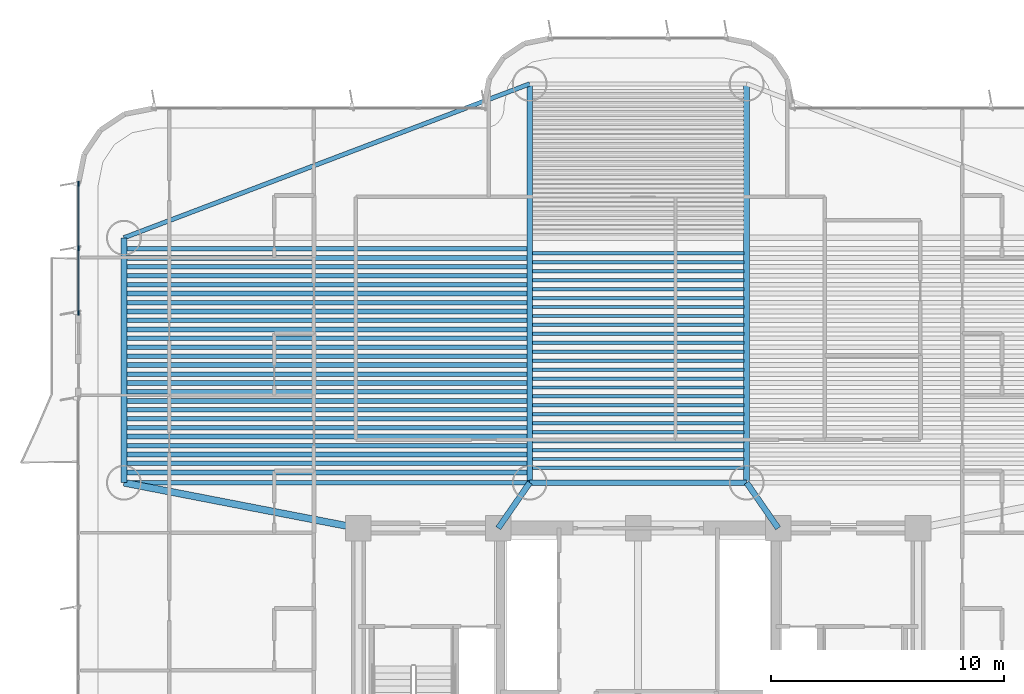
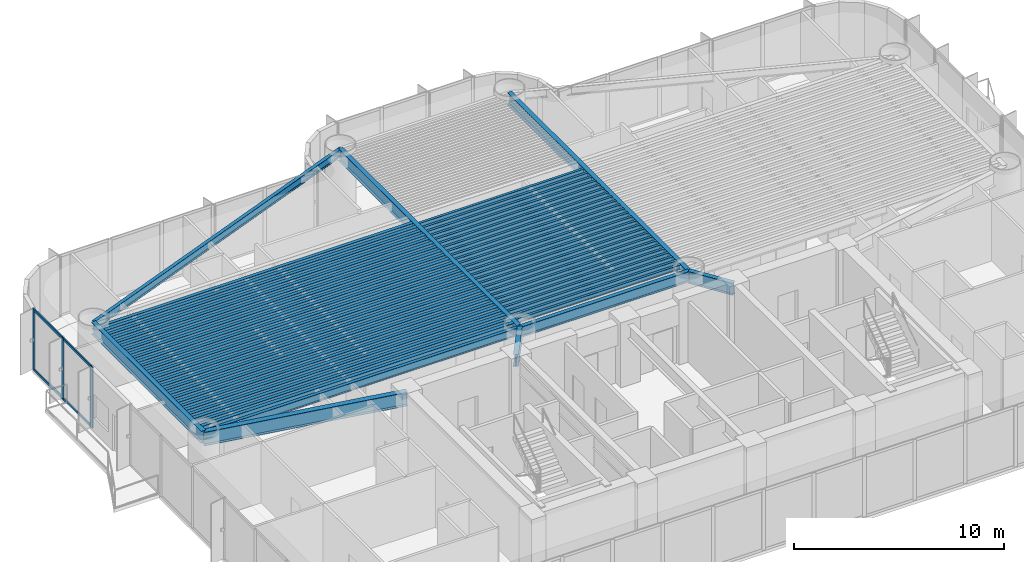
# One storey, part 3 of 18: 60 beams, 7 members, 1 element without a shape of its own.
"""IFC4 building model written with IfcOpenShell, lengths in metres."""

import ifcopenshell
import ifcopenshell.guid

model = None  # the IFC model being written
_history = None  # IfcOwnerHistory: only IFC2X3 demands one
_inside = {}  # id of a spatial element -> (the spatial element, [elements in it])
_under = {}  # id of a project, library or spatial element -> (it, [spatial elements below it])
_declared = {}  # id of a project -> (the project, [libraries it declares])
_typed = {}  # id of a type object -> (the type object, [elements of that type])
_made_of = {}  # id of a material, layer set ... -> (it, [elements and type objects made of it])


def new_model(schema):
    """Start an empty IFC model of exactly this schema.

    Asked for "IFC4X3", IfcOpenShell would pick the latest addendum, in which some entities
    have other attributes; the version numbers below select the first issue.
    IFC2X3 requires an IfcOwnerHistory on every rooted entity: one is made here for all.
    """
    global model, _history
    if schema == "IFC4X3":
        model = ifcopenshell.file(schema_version=(4, 3, 0, 0))
    else:
        model = ifcopenshell.file(schema=schema)
    _inside.clear()
    _under.clear()
    _declared.clear()
    _typed.clear()
    _made_of.clear()
    _history = None
    if model.schema == "IFC2X3":
        org = make("IfcOrganization", Name="unknown")
        user = make(
            "IfcPersonAndOrganization",
            ThePerson=make("IfcPerson", FamilyName="unknown"),
            TheOrganization=org,
        )
        app = make(
            "IfcApplication",
            ApplicationDeveloper=org,
            Version="unknown",
            ApplicationFullName="unknown",
            ApplicationIdentifier="unknown",
        )
        _history = make(
            "IfcOwnerHistory",
            OwningUser=user,
            OwningApplication=app,
            ChangeAction="ADDED",
            CreationDate=0,
        )
    return model


def make(cls, **values):
    """One entity of the class cls with the attributes given. An attribute that is None is left unset."""
    return model.create_entity(
        cls, **{name: value for name, value in values.items() if value is not None}
    )


def rooted(cls, **values):
    """An entity with a GlobalId (a new one), such as an element, a storey or a relation."""
    return make(cls, GlobalId=ifcopenshell.guid.new(), OwnerHistory=_history, **values)


def si_unit(unit_type, name, prefix=None):
    """IfcSIUnit, for example si_unit("LENGTHUNIT", "METRE", prefix="MILLI")."""
    return make("IfcSIUnit", UnitType=unit_type, Prefix=prefix, Name=name)


def assignment(units):
    """IfcUnitAssignment: the units of a project."""
    return None if units is None else make("IfcUnitAssignment", Units=units)


def point(xyz):
    """IfcCartesianPoint."""
    return None if xyz is None else make("IfcCartesianPoint", Coordinates=xyz)


def direction(xyz):
    """IfcDirection."""
    return None if xyz is None else make("IfcDirection", DirectionRatios=xyz)


def frame(location, z_axis=None, x_axis=None):
    """IfcAxis2Placement3D, a coordinate frame: its origin and axes. An axis left out is left unset."""
    return make(
        "IfcAxis2Placement3D",
        Location=point(location),
        Axis=direction(z_axis),
        RefDirection=direction(x_axis),
    )


def frame_2d(location, x_axis=None):
    """IfcAxis2Placement2D, a coordinate frame in the plane: its origin and x axis."""
    return make(
        "IfcAxis2Placement2D", Location=point(location), RefDirection=direction(x_axis)
    )


def origin():
    """The frame at (0, 0, 0) with its axes left unset."""
    return frame((0.0, 0.0, 0.0))


def origin_2d():
    """The frame at (0, 0) in the plane with its x axis left unset."""
    return frame_2d((0.0, 0.0))


def place(relative_to, where):
    """IfcLocalPlacement: puts the frame where relative to a parent placement (None: the world)."""
    return make(
        "IfcLocalPlacement", PlacementRelTo=relative_to, RelativePlacement=where
    )


def context(
    kind, dimensions, precision=None, world=None, true_north=None, identifier=None
):
    """IfcGeometricRepresentationContext, for example the 3D "Model" context."""
    return make(
        "IfcGeometricRepresentationContext",
        ContextIdentifier=identifier,
        ContextType=kind,
        CoordinateSpaceDimension=dimensions,
        Precision=precision,
        WorldCoordinateSystem=world,
        TrueNorth=true_north,
    )


def subcontext(parent, identifier, kind, view, scale=None):
    """IfcGeometricRepresentationSubContext, for example "Body" below "Model"."""
    return make(
        "IfcGeometricRepresentationSubContext",
        ContextIdentifier=identifier,
        ContextType=kind,
        ParentContext=parent,
        TargetScale=scale,
        TargetView=view,
    )


def project(units=None, contexts=None):
    """IfcProject with its units and contexts."""
    return rooted(
        "IfcProject",
        Name="project",
        RepresentationContexts=contexts,
        UnitsInContext=assignment(units),
    )


def spatial(cls, under=None, at=None, **own):
    """A site, building, storey or space (cls), placed at a placement, below another one or the project."""
    s = rooted(cls, ObjectPlacement=at, **own)
    if under is not None:
        _under.setdefault(under.id(), (under, []))[1].append(s)
    return s


def profile(cls, at=None, kind="AREA", **sizes):
    """A parametric profile (cls). Its sizes go by their IFC names, for example OverallWidth=200.0."""
    return make(cls, ProfileType=kind, Position=at, **sizes)


def rectangle(**sizes):
    """IfcRectangleProfileDef."""
    return profile("IfcRectangleProfileDef", **sizes)


def i_section(**sizes):
    """IfcIShapeProfileDef."""
    return profile("IfcIShapeProfileDef", **sizes)


def extrude(swept, where, along, depth):
    """IfcExtrudedAreaSolid: the profile swept, set in the frame where, extruded along a direction by depth."""
    return make(
        "IfcExtrudedAreaSolid",
        SweptArea=swept,
        Position=where,
        ExtrudedDirection=direction(along),
        Depth=depth,
    )


def shape(context_of_items, identifier, shape_type, items):
    """IfcShapeRepresentation: the items that make up one representation, for example the "Body"."""
    return make(
        "IfcShapeRepresentation",
        ContextOfItems=context_of_items,
        RepresentationIdentifier=identifier,
        RepresentationType=shape_type,
        Items=items,
    )


def source(mapping_origin, context_of_items, identifier, shape_type, items):
    """IfcRepresentationMap: a shape defined once, which mapped items show again and again."""
    return make(
        "IfcRepresentationMap",
        MappingOrigin=mapping_origin,
        MappedRepresentation=shape(context_of_items, identifier, shape_type, items),
    )


def transform(
    local_origin,
    x_axis=None,
    y_axis=None,
    z_axis=None,
    scale=None,
    scale2=None,
    scale3=None,
    uniform=True,
):
    """IfcCartesianTransformationOperator3D, or its non-uniform kind. x_axis, y_axis, z_axis: its Axis1, 2, 3."""
    if uniform:
        return make(
            "IfcCartesianTransformationOperator3D",
            Axis1=direction(x_axis),
            Axis2=direction(y_axis),
            LocalOrigin=point(local_origin),
            Scale=scale,
            Axis3=direction(z_axis),
        )
    return make(
        "IfcCartesianTransformationOperator3DnonUniform",
        Axis1=direction(x_axis),
        Axis2=direction(y_axis),
        LocalOrigin=point(local_origin),
        Scale=scale,
        Axis3=direction(z_axis),
        Scale2=scale2,
        Scale3=scale3,
    )


def mapped(mapping_source, mapping_target):
    """IfcMappedItem: shows the shape of a source again, moved by a transform."""
    return make(
        "IfcMappedItem", MappingSource=mapping_source, MappingTarget=mapping_target
    )


def material(Name=None, Category=None):
    """IfcMaterial."""
    return make("IfcMaterial", Name=Name, Category=Category)


def layer(
    of_material, thickness, ventilated=None, Name=None, Category=None, Priority=None
):
    """IfcMaterialLayer: one layer of a wall or slab, of a material (None: an air gap)."""
    return make(
        "IfcMaterialLayer",
        Material=of_material,
        LayerThickness=thickness,
        IsVentilated=ventilated,
        Name=Name,
        Category=Category,
        Priority=Priority,
    )


def layer_set(layers, Name=None):
    """IfcMaterialLayerSet."""
    return make("IfcMaterialLayerSet", MaterialLayers=layers, LayerSetName=Name)


def material_profile(
    of_material, cross_section, Name=None, Category=None, Priority=None
):
    """IfcMaterialProfile: a cross section and its material."""
    return make(
        "IfcMaterialProfile",
        Name=Name,
        Material=of_material,
        Profile=cross_section,
        Priority=Priority,
        Category=Category,
    )


def profile_set(profiles, Name=None, composite=None):
    """IfcMaterialProfileSet."""
    return make(
        "IfcMaterialProfileSet",
        Name=Name,
        MaterialProfiles=profiles,
        CompositeProfile=composite,
    )


def made_of(thing, what):
    """Note that an element or type object is made of a material, layer set ...; save() writes the relation."""
    if what is not None:
        _made_of.setdefault(what.id(), (what, []))[1].append(thing)
    return thing


def type_object(cls, material=None, **own):
    """A type object (cls), such as IfcWallType, which elements share."""
    return made_of(rooted(cls, **own), material)


def element(
    cls,
    number,
    at=None,
    inside=None,
    cuts=None,
    type_object=None,
    material=None,
    context=None,
    identifier="Body",
    shape_type=None,
    held_by="IfcProductDefinitionShape",
    body=None,
    shapes=None,
    **own,
):
    """One element of the class cls, such as IfcWall. Its Tag is "e" and its number.

    at: its placement. inside: the storey or other place that contains it. cuts: it is an
    opening in that element (IfcRelVoidsElement). A single representation is given by context,
    identifier, shape_type and body (its items); several are given by shapes. held_by: the class
    of the entity that holds the representations. save() writes the other relations.
    """
    e = rooted(cls, Tag="e%d" % number, ObjectPlacement=at, **own)
    if body is not None:
        shapes = [shape(context, identifier, shape_type, body)]
    if shapes is not None:
        e.Representation = make(held_by, Representations=shapes)
    if inside is not None:
        _inside.setdefault(inside.id(), (inside, []))[1].append(e)
    if cuts is not None:
        rooted(
            "IfcRelVoidsElement", RelatingBuildingElement=cuts, RelatedOpeningElement=e
        )
    if type_object is not None:
        _typed.setdefault(type_object.id(), (type_object, []))[1].append(e)
    return made_of(e, material)


def aggregate(whole, parts):
    """IfcRelAggregates: a whole, such as a stair, and the parts it consists of."""
    return rooted("IfcRelAggregates", RelatingObject=whole, RelatedObjects=parts)


def save(model, path):
    """Write the relations noted so far, then the file.

    IfcRelAggregates (storeys below a building ...), IfcRelContainedInSpatialStructure (elements
    in a storey), IfcRelDefinesByType, IfcRelAssociatesMaterial and IfcRelDeclares: one each for
    every whole, place, type object, material and project.
    """
    for whole, parts in _under.values():
        aggregate(whole, parts)
    for where, things in _inside.values():
        rooted(
            "IfcRelContainedInSpatialStructure",
            RelatedElements=things,
            RelatingStructure=where,
        )
    for kind, things in _typed.values():
        rooted("IfcRelDefinesByType", RelatedObjects=things, RelatingType=kind)
    for what, things in _made_of.values():
        rooted("IfcRelAssociatesMaterial", RelatedObjects=things, RelatingMaterial=what)
    for by, libraries in _declared.values():
        rooted("IfcRelDeclares", RelatingContext=by, RelatedDefinitions=libraries)
    model.write(path)


model = new_model("IFC4")

# Units and contexts
model_context = context("Model", 3, precision=1e-05, world=origin(), true_north=direction((0.0, 1.0)))
body_context = subcontext(model_context, "Body", "Model", "MODEL_VIEW")
ifc_project = project(units=[si_unit("LENGTHUNIT", "METRE"), si_unit("AREAUNIT", "SQUARE_METRE"), si_unit("VOLUMEUNIT", "CUBIC_METRE"), si_unit("PLANEANGLEUNIT", "RADIAN"), si_unit("MASSUNIT", "GRAM", prefix="KILO")], contexts=[model_context])

# Site, building, storey
site_placement = place(None, origin())
site = spatial("IfcSite", under=ifc_project, at=site_placement, CompositionType="ELEMENT")
building_placement = place(site_placement, origin())
building = spatial("IfcBuilding", under=site, at=building_placement, Name="Brelvock Crest Care Tower", CompositionType="ELEMENT")
storey_placement = place(building_placement, frame((0.0, 0.0, 38.340087890625)))
storey = spatial("IfcBuildingStorey", under=building, at=storey_placement, Name="L09", CompositionType="ELEMENT", Elevation=38.340087890625)

# Beams
ifc_material_1 = material(Name="Steel Grade 350", Category="steel")
ifc_material_profile_1 = material_profile(ifc_material_1, i_section(OverallWidth=0.25, OverallDepth=0.699951171875, WebThickness=0.011962890625, FlangeThickness=0.02001953125, at=origin_2d()), Name="700WB150")
ifc_profile_set_1 = profile_set([ifc_material_profile_1], Name="Steel Grade 350")
beam_type_1 = type_object("IfcBeamType", Name="BM-G4", PredefinedType="BEAM", material=ifc_profile_set_1)
shared_shape_1 = source(origin(), body_context, "Body", "SweptSolid", [
    extrude(i_section(OverallWidth=0.25, OverallDepth=0.699951171875, WebThickness=0.011962890625, FlangeThickness=0.02001953125, at=origin_2d()), origin(), (0.0, 0.0, 1.0), 10.5),
])
beam_1_placement = place(storey_placement, frame((13.949951171875, 19.949951171875, 3.179931640625), z_axis=(0.0, 1.0, 0.0), x_axis=(-1.0, 0.0, 0.0)))
element("IfcBeam", 1, at=beam_1_placement, inside=storey, type_object=beam_type_1, Name="BM-TWR-L09-01", PredefinedType="BEAM", context=body_context, shape_type="MappedRepresentation", body=[
    mapped(shared_shape_1, transform((0.0, 0.0, 0.0), x_axis=(1.0, 0.0, 0.0), y_axis=(0.0, 1.0, 0.0), z_axis=(0.0, 0.0, 1.0), scale=1.0)),
])
ifc_material_profile_2 = material_profile(ifc_material_1, i_section(OverallWidth=0.19091796875, OverallDepth=0.4599609375, WebThickness=0.010009765625, FlangeThickness=0.01611328125, FilletRadius=0.011474609375, at=origin_2d()), Name="460UB82.1")
ifc_profile_set_2 = profile_set([ifc_material_profile_2], Name="Steel Grade 350")
beam_type_2 = type_object("IfcBeamType", Name="BM-SP2", PredefinedType="SPANDREL", material=ifc_profile_set_2)
shared_shape_2 = source(origin(), body_context, "Body", "SweptSolid", [
    extrude(i_section(OverallWidth=0.19091796875, OverallDepth=0.4599609375, WebThickness=0.010009765625, FlangeThickness=0.01611328125, FilletRadius=0.011474609375, at=origin_2d()), origin(), (0.0, 0.0, 1.0), 17.400146484375),
])
beam_2_placement = place(storey_placement, frame((13.949951171875, 19.949951171875, 3.2998046875), z_axis=(1.0, 0.0, 0.0), x_axis=(0.0, 1.0, 0.0)))
element("IfcBeam", 2, at=beam_2_placement, inside=storey, type_object=beam_type_2, Name="BM-TWR-L09-03", PredefinedType="SPANDREL", context=body_context, shape_type="MappedRepresentation", body=[
    mapped(shared_shape_2, transform((0.0, 0.0, 0.0), x_axis=(1.0, 0.0, 0.0), y_axis=(0.0, 1.0, 0.0), z_axis=(0.0, 0.0, 1.0), scale=1.0)),
])
ifc_material_profile_3 = material_profile(ifc_material_1, i_section(OverallWidth=0.22900390625, OverallDepth=0.612060546875, WebThickness=0.011962890625, FlangeThickness=0.01953125, FilletRadius=0.013916015625, at=origin_2d()), Name="610UB125")
ifc_profile_set_3 = profile_set([ifc_material_profile_3], Name="Steel Grade 350")
beam_type_3 = type_object("IfcBeamType", Name="BM-G1", PredefinedType="BEAM", material=ifc_profile_set_3)
shared_shape_3 = source(origin(), body_context, "Body", "SweptSolid", [
    extrude(i_section(OverallWidth=0.22900390625, OverallDepth=0.612060546875, WebThickness=0.011962890625, FlangeThickness=0.01953125, FilletRadius=0.013916015625, at=origin_2d()), origin(), (0.0, 0.0, 1.0), 9.2998046875),
])
beam_3_placement = place(storey_placement, frame((31.35009765625, 19.949951171875, 3.223876953125), z_axis=(1.0, 0.0, 0.0), x_axis=(0.0, 1.0, 0.0)))
element("IfcBeam", 3, at=beam_3_placement, inside=storey, type_object=beam_type_3, Name="BM-TWR-L09-05", PredefinedType="BEAM", context=body_context, shape_type="MappedRepresentation", body=[
    mapped(shared_shape_3, transform((0.0, 0.0, 0.0), x_axis=(1.0, 0.0, 0.0), y_axis=(0.0, 1.0, 0.0), z_axis=(0.0, 0.0, 1.0), scale=1.0)),
])
shared_shape_4 = source(origin(), body_context, "Body", "SweptSolid", [
    extrude(i_section(OverallWidth=0.19091796875, OverallDepth=0.4599609375, WebThickness=0.010009765625, FlangeThickness=0.01611328125, FilletRadius=0.011474609375, at=origin_2d()), origin(), (0.0, 0.0, 1.0), 18.60986328125),
])
beam_4_placement = place(storey_placement, frame((13.949951171875, 30.449951171875, 3.2998046875), z_axis=(0.934996776275, 0.3546562115, 0.0), x_axis=(-0.3546562115, 0.934996776275, 0.0)))
element("IfcBeam", 4, at=beam_4_placement, inside=storey, type_object=beam_type_2, Name="BM-TWR-L09-06", PredefinedType="SPANDREL", context=body_context, shape_type="MappedRepresentation", body=[
    mapped(shared_shape_4, transform((0.0, 0.0, 0.0), x_axis=(1.0, 0.0, 0.0), y_axis=(0.0, 1.0, 0.0), z_axis=(0.0, 0.0, 1.0), scale=1.0)),
])
shared_shape_5 = source(origin(), body_context, "Body", "SweptSolid", [
    extrude(i_section(OverallWidth=0.25, OverallDepth=0.699951171875, WebThickness=0.011962890625, FlangeThickness=0.02001953125, at=origin_2d()), origin(), (0.0, 0.0, 1.0), 17.10009765625),
])
for number, where, z_axis, x_axis, name in (
    (5, (31.35009765625, 19.949951171875, 3.179931640625), (0.0, 1.0, 0.0), (-1.0, 0.0, 0.0), "BM-TWR-L09-09"),
    (6, (40.64990234375, 19.949951171875, 3.179931640625), (0.0, 1.0, 0.0), (-1.0, 0.0, 0.0), "BM-TWR-L09-10"),
):
    element("IfcBeam", number, at=place(storey_placement, frame(where, z_axis=z_axis, x_axis=x_axis)), inside=storey, type_object=beam_type_1, Name=name, PredefinedType="BEAM", context=body_context, shape_type="MappedRepresentation", body=[
        mapped(shared_shape_5, transform((0.0, 0.0, 0.0), x_axis=(1.0, 0.0, 0.0), y_axis=(0.0, 1.0, 0.0), z_axis=(0.0, 0.0, 1.0), scale=1.0)),
    ])
shared_shape_6 = source(origin(), body_context, "Body", "SweptSolid", [
    extrude(i_section(OverallWidth=0.25, OverallDepth=0.699951171875, WebThickness=0.011962890625, FlangeThickness=0.02001953125, at=origin_2d()), origin(), (0.0, 0.0, 1.0), 2.371826171875),
])
for number, where, z_axis, x_axis, name in (
    (7, (30.0, 18.0, 3.179931640625), (0.569247447691, 0.8221662504, 0.0), (-0.8221662504, 0.569247447691, 0.0), "BM-THRW-L09"),
    (8, (42.0, 18.0, 3.179931640625), (-0.569247447691, 0.8221662504, 0.0), (-0.8221662504, -0.569247447691, 0.0), "BM-THRE-L09"),
):
    element("IfcBeam", number, at=place(storey_placement, frame(where, z_axis=z_axis, x_axis=x_axis)), inside=storey, type_object=beam_type_1, Name=name, PredefinedType="BEAM", context=body_context, shape_type="MappedRepresentation", body=[
        mapped(shared_shape_6, transform((0.0, 0.0, 0.0), x_axis=(1.0, 0.0, 0.0), y_axis=(0.0, 1.0, 0.0), z_axis=(0.0, 0.0, 1.0), scale=1.0)),
    ])
ifc_material_profile_4 = material_profile(ifc_material_1, i_section(OverallWidth=0.300048828125, OverallDepth=0.800048828125, WebThickness=0.013916015625, FlangeThickness=0.02197265625, at=origin_2d()), Name="800WB192")
ifc_profile_set_4 = profile_set([ifc_material_profile_4], Name="Steel Grade 350")
beam_type_4 = type_object("IfcBeamType", Name="BM-G5", PredefinedType="BEAM", material=ifc_profile_set_4)
shared_shape_7 = source(origin(), body_context, "Body", "SweptSolid", [
    extrude(i_section(OverallWidth=0.300048828125, OverallDepth=0.800048828125, WebThickness=0.013916015625, FlangeThickness=0.02197265625, at=origin_2d()), origin(), (0.0, 0.0, 1.0), 10.237548828125),
])
beam_5_placement = place(storey_placement, frame((24.0, 18.0, 3.1298828125), z_axis=(-0.981692632568, 0.190471979991, 0.0), x_axis=(-0.190471979991, -0.981692632568, 0.0)))
element("IfcBeam", 9, at=beam_5_placement, inside=storey, type_object=beam_type_4, Name="BM-THRO-W-L09", PredefinedType="BEAM", context=body_context, shape_type="MappedRepresentation", body=[
    mapped(shared_shape_7, transform((0.0, 0.0, 0.0), x_axis=(1.0, 0.0, 0.0), y_axis=(0.0, 1.0, 0.0), z_axis=(0.0, 0.0, 1.0), scale=1.0)),
])
ifc_material_profile_5 = material_profile(ifc_material_1, i_section(OverallWidth=0.208984375, OverallDepth=0.532958984375, WebThickness=0.01025390625, FlangeThickness=0.015625, FilletRadius=0.013916015625, at=origin_2d()), Name="530UB92.4")
ifc_profile_set_5 = profile_set([ifc_material_profile_5], Name="Steel Grade 350")
beam_type_5 = type_object("IfcBeamType", Name="BM-G2", PredefinedType="BEAM", material=ifc_profile_set_5)
shared_shape_8 = source(origin(), body_context, "Body", "SweptSolid", [
    extrude(i_section(OverallWidth=0.208984375, OverallDepth=0.532958984375, WebThickness=0.01025390625, FlangeThickness=0.015625, FilletRadius=0.013916015625, at=origin_2d()), origin(), (0.0, 0.0, 1.0), 17.170166015625),
])
for number, where, z_axis, x_axis, name in (
    (10, (14.06494140625, 20.39111328125, 3.263427734375), (1.0, 0.0, 0.0), (0.0, 1.0, 0.0), "BM-JW-L09-1"),
    (11, (14.06494140625, 21.157470703125, 3.263427734375), (1.0, 0.0, 0.0), (0.0, 1.0, 0.0), "BM-JW-L09-3"),
    (12, (14.06494140625, 21.924072265625, 3.263427734375), (1.0, 0.0, 0.0), (0.0, 1.0, 0.0), "BM-JW-L09-5"),
    (13, (14.06494140625, 22.6904296875, 3.263427734375), (1.0, 0.0, 0.0), (0.0, 1.0, 0.0), "BM-JW-L09-7"),
    (14, (14.06494140625, 23.45703125, 3.263427734375), (1.0, 0.0, 0.0), (0.0, 1.0, 0.0), "BM-JW-L09-9"),
    (15, (14.06494140625, 24.223388671875, 3.263427734375), (1.0, 0.0, 0.0), (0.0, 1.0, 0.0), "BM-JW-L09-11"),
    (16, (14.06494140625, 24.989990234375, 3.263427734375), (1.0, 0.0, 0.0), (0.0, 1.0, 0.0), "BM-JW-L09-13"),
    (17, (14.06494140625, 25.756591796875, 3.263427734375), (1.0, 0.0, 0.0), (0.0, 1.0, 0.0), "BM-JW-L09-15"),
    (18, (14.06494140625, 26.52294921875, 3.263427734375), (1.0, 0.0, 0.0), (0.0, 1.0, 0.0), "BM-JW-L09-17"),
    (19, (14.06494140625, 27.28955078125, 3.263427734375), (1.0, 0.0, 0.0), (0.0, 1.0, 0.0), "BM-JW-L09-19"),
    (20, (14.06494140625, 28.055908203125, 3.263427734375), (1.0, 0.0, 0.0), (0.0, 1.0, 0.0), "BM-JW-L09-21"),
    (21, (14.06494140625, 28.822509765625, 3.263427734375), (1.0, 0.0, 0.0), (0.0, 1.0, 0.0), "BM-JW-L09-23"),
    (22, (14.06494140625, 29.589111328125, 3.263427734375), (1.0, 0.0, 0.0), (0.0, 1.0, 0.0), "BM-JW-L09-25"),
):
    element("IfcBeam", number, at=place(storey_placement, frame(where, z_axis=z_axis, x_axis=x_axis)), inside=storey, type_object=beam_type_5, Name=name, PredefinedType="BEAM", context=body_context, shape_type="MappedRepresentation", body=[
        mapped(shared_shape_8, transform((0.0, 0.0, 0.0), x_axis=(1.0, 0.0, 0.0), y_axis=(0.0, 1.0, 0.0), z_axis=(0.0, 0.0, 1.0), scale=1.0)),
    ])
ifc_material_profile_6 = material_profile(ifc_material_1, i_section(OverallWidth=0.14599609375, OverallDepth=0.256103515625, WebThickness=0.00634765625, FlangeThickness=0.010986328125, FilletRadius=0.0087890625, at=origin_2d()), Name="250UB37.3")
ifc_profile_set_6 = profile_set([ifc_material_profile_6], Name="Steel Grade 350")
beam_type_6 = type_object("IfcBeamType", Name="BM-J3", PredefinedType="JOIST", material=ifc_profile_set_6)
shared_shape_9 = source(origin(), body_context, "Body", "SweptSolid", [
    extrude(i_section(OverallWidth=0.14599609375, OverallDepth=0.256103515625, WebThickness=0.00634765625, FlangeThickness=0.010986328125, FilletRadius=0.0087890625, at=origin_2d()), origin(), (0.0, 0.0, 1.0), 9.06982421875),
])
for number, where, z_axis, x_axis, name in (
    (23, (31.465087890625, 20.58251953125, 3.40185546875), (1.0, 0.0, 0.0), (0.0, 1.0, 0.0), "BM-JH-L09-1"),
    (24, (31.465087890625, 20.9658203125, 3.40185546875), (1.0, 0.0, 0.0), (0.0, 1.0, 0.0), "BM-JH-L09-2"),
    (25, (31.465087890625, 21.34912109375, 3.40185546875), (1.0, 0.0, 0.0), (0.0, 1.0, 0.0), "BM-JH-L09-3"),
    (26, (31.465087890625, 21.732421875, 3.40185546875), (1.0, 0.0, 0.0), (0.0, 1.0, 0.0), "BM-JH-L09-4"),
    (27, (31.465087890625, 22.115478515625, 3.40185546875), (1.0, 0.0, 0.0), (0.0, 1.0, 0.0), "BM-JH-L09-5"),
    (28, (31.465087890625, 22.498779296875, 3.40185546875), (1.0, 0.0, 0.0), (0.0, 1.0, 0.0), "BM-JH-L09-6"),
    (29, (31.465087890625, 22.882080078125, 3.40185546875), (1.0, 0.0, 0.0), (0.0, 1.0, 0.0), "BM-JH-L09-7"),
    (30, (31.465087890625, 23.265380859375, 3.40185546875), (1.0, 0.0, 0.0), (0.0, 1.0, 0.0), "BM-JH-L09-8"),
    (31, (31.465087890625, 23.648681640625, 3.40185546875), (1.0, 0.0, 0.0), (0.0, 1.0, 0.0), "BM-JH-L09-9"),
    (32, (31.465087890625, 24.03173828125, 3.40185546875), (1.0, 0.0, 0.0), (0.0, 1.0, 0.0), "BM-JH-L09-10"),
    (33, (31.465087890625, 24.4150390625, 3.40185546875), (1.0, 0.0, 0.0), (0.0, 1.0, 0.0), "BM-JH-L09-11"),
    (34, (31.465087890625, 24.79833984375, 3.40185546875), (1.0, 0.0, 0.0), (0.0, 1.0, 0.0), "BM-JH-L09-12"),
    (35, (31.465087890625, 25.181640625, 3.40185546875), (1.0, 0.0, 0.0), (0.0, 1.0, 0.0), "BM-JH-L09-13"),
    (36, (31.465087890625, 25.564697265625, 3.40185546875), (1.0, 0.0, 0.0), (0.0, 1.0, 0.0), "BM-JH-L09-14"),
    (37, (31.465087890625, 25.947998046875, 3.40185546875), (1.0, 0.0, 0.0), (0.0, 1.0, 0.0), "BM-JH-L09-15"),
    (38, (31.465087890625, 26.331298828125, 3.40185546875), (1.0, 0.0, 0.0), (0.0, 1.0, 0.0), "BM-JH-L09-16"),
    (39, (31.465087890625, 26.714599609375, 3.40185546875), (1.0, 0.0, 0.0), (0.0, 1.0, 0.0), "BM-JH-L09-17"),
    (40, (31.465087890625, 27.097900390625, 3.40185546875), (1.0, 0.0, 0.0), (0.0, 1.0, 0.0), "BM-JH-L09-18"),
    (41, (31.465087890625, 27.481201171875, 3.40185546875), (1.0, 0.0, 0.0), (0.0, 1.0, 0.0), "BM-JH-L09-19"),
    (42, (31.465087890625, 27.864501953125, 3.40185546875), (1.0, 0.0, 0.0), (0.0, 1.0, 0.0), "BM-JH-L09-20"),
    (43, (31.465087890625, 28.24755859375, 3.40185546875), (1.0, 0.0, 0.0), (0.0, 1.0, 0.0), "BM-JH-L09-21"),
    (44, (31.465087890625, 28.630859375, 3.40185546875), (1.0, 0.0, 0.0), (0.0, 1.0, 0.0), "BM-JH-L09-22"),
    (45, (31.465087890625, 29.01416015625, 3.40185546875), (1.0, 0.0, 0.0), (0.0, 1.0, 0.0), "BM-JH-L09-23"),
    (46, (31.465087890625, 29.397216796875, 3.40185546875), (1.0, 0.0, 0.0), (0.0, 1.0, 0.0), "BM-JH-L09-24"),
    (47, (31.465087890625, 29.780517578125, 3.40185546875), (1.0, 0.0, 0.0), (0.0, 1.0, 0.0), "BM-JH-L09-25"),
):
    element("IfcBeam", number, at=place(storey_placement, frame(where, z_axis=z_axis, x_axis=x_axis)), inside=storey, type_object=beam_type_6, Name=name, PredefinedType="JOIST", context=body_context, shape_type="MappedRepresentation", body=[
        mapped(shared_shape_9, transform((0.0, 0.0, 0.0), x_axis=(1.0, 0.0, 0.0), y_axis=(0.0, 1.0, 0.0), z_axis=(0.0, 0.0, 1.0), scale=1.0)),
    ])
ifc_material_profile_7 = material_profile(ifc_material_1, i_section(OverallWidth=0.19091796875, OverallDepth=0.4599609375, WebThickness=0.010009765625, FlangeThickness=0.01611328125, FilletRadius=0.011474609375, at=origin_2d()), Name="460UB82.1")
ifc_profile_set_7 = profile_set([ifc_material_profile_7], Name="Steel Grade 350")
beam_type_7 = type_object("IfcBeamType", Name="BM-G3", PredefinedType="BEAM", material=ifc_profile_set_7)
shared_shape_10 = source(origin(), body_context, "Body", "SweptSolid", [
    extrude(i_section(OverallWidth=0.19091796875, OverallDepth=0.4599609375, WebThickness=0.010009765625, FlangeThickness=0.01611328125, FilletRadius=0.011474609375, at=origin_2d()), origin(), (0.0, 0.0, 1.0), 17.170166015625),
])
for number, where, z_axis, x_axis, name in (
    (48, (14.06494140625, 20.774169921875, 3.2998046875), (1.0, 0.0, 0.0), (0.0, 1.0, 0.0), "BM-JW-L09-2"),
    (49, (14.06494140625, 21.540771484375, 3.2998046875), (1.0, 0.0, 0.0), (0.0, 1.0, 0.0), "BM-JW-L09-4"),
    (50, (14.06494140625, 22.30712890625, 3.2998046875), (1.0, 0.0, 0.0), (0.0, 1.0, 0.0), "BM-JW-L09-6"),
    (51, (14.06494140625, 23.07373046875, 3.2998046875), (1.0, 0.0, 0.0), (0.0, 1.0, 0.0), "BM-JW-L09-8"),
    (52, (14.06494140625, 23.840087890625, 3.2998046875), (1.0, 0.0, 0.0), (0.0, 1.0, 0.0), "BM-JW-L09-10"),
    (53, (14.06494140625, 24.606689453125, 3.2998046875), (1.0, 0.0, 0.0), (0.0, 1.0, 0.0), "BM-JW-L09-12"),
    (54, (14.06494140625, 25.373291015625, 3.2998046875), (1.0, 0.0, 0.0), (0.0, 1.0, 0.0), "BM-JW-L09-14"),
    (55, (14.06494140625, 26.1396484375, 3.2998046875), (1.0, 0.0, 0.0), (0.0, 1.0, 0.0), "BM-JW-L09-16"),
    (56, (14.06494140625, 26.90625, 3.2998046875), (1.0, 0.0, 0.0), (0.0, 1.0, 0.0), "BM-JW-L09-18"),
    (57, (14.06494140625, 27.6728515625, 3.2998046875), (1.0, 0.0, 0.0), (0.0, 1.0, 0.0), "BM-JW-L09-20"),
    (58, (14.06494140625, 28.439208984375, 3.2998046875), (1.0, 0.0, 0.0), (0.0, 1.0, 0.0), "BM-JW-L09-22"),
    (59, (14.06494140625, 29.205810546875, 3.2998046875), (1.0, 0.0, 0.0), (0.0, 1.0, 0.0), "BM-JW-L09-24"),
    (60, (14.06494140625, 29.97216796875, 3.2998046875), (1.0, 0.0, 0.0), (0.0, 1.0, 0.0), "BM-JW-L09-26"),
):
    element("IfcBeam", number, at=place(storey_placement, frame(where, z_axis=z_axis, x_axis=x_axis)), inside=storey, type_object=beam_type_7, Name=name, PredefinedType="BEAM", context=body_context, shape_type="MappedRepresentation", body=[
        mapped(shared_shape_10, transform((0.0, 0.0, 0.0), x_axis=(1.0, 0.0, 0.0), y_axis=(0.0, 1.0, 0.0), z_axis=(0.0, 0.0, 1.0), scale=1.0)),
    ])

# Curtain wall, members
ifc_material_2 = material(Name="Dark Glass Double Glazed Low-E", Category="glass")
ifc_layer = layer(ifc_material_2, 0.195068359375, Name="CWS-2")
ifc_layer_set = layer_set([ifc_layer], Name="Dark Glass Double Glazed Low-E")
curtain_wall_type = type_object("IfcCurtainWallType", Name="CWS-2", PredefinedType="NOTDEFINED", material=ifc_layer_set)
curtain_wall_placement = place(storey_placement, origin())
curtain_wall = element("IfcCurtainWall", 61, at=curtain_wall_placement, inside=storey, type_object=curtain_wall_type, Name="L09 Curtain Wall E13B", PredefinedType="NOTDEFINED")
ifc_material_3 = material(Name="Aluminium 6063-T6", Category="aluminium")
ifc_material_profile_8 = material_profile(ifc_material_3, rectangle(XDim=0.06494140625, YDim=0.199951171875, at=origin_2d()), Name="ALU65x200")
ifc_profile_set_8 = profile_set([ifc_material_profile_8], Name="Aluminium 6063-T6")
member_type_1 = type_object("IfcMemberType", Name="CWM-1", PredefinedType="MULLION", material=ifc_profile_set_8)
shared_shape_11 = source(origin(), body_context, "Body", "SweptSolid", [
    extrude(rectangle(XDim=0.06494140625, YDim=0.199951171875, at=origin_2d()), origin(), (0.0, 0.0, 1.0), 3.530029296875),
])
member_1_placement = place(storey_placement, frame((12.0, 27.232421875, 0.0), z_axis=(0.0, 0.0, 1.0), x_axis=(-1.0, 0.0, 0.0)))
member_1 = element("IfcMember", 62, at=member_1_placement, type_object=member_type_1, Name="CW-2 mullion 1", PredefinedType="MULLION", context=body_context, shape_type="MappedRepresentation", body=[
    mapped(shared_shape_11, transform((0.0, 0.0, 0.0), x_axis=(1.0, 0.0, 0.0), y_axis=(0.0, 1.0, 0.0), z_axis=(0.0, 0.0, 1.0), scale=1.0)),
])
member_2_placement = place(storey_placement, frame((12.0, 30.0, 0.0), z_axis=(0.0, 0.0, 1.0), x_axis=(-1.0, 0.0, 0.0)))
member_2 = element("IfcMember", 63, at=member_2_placement, type_object=member_type_1, Name="CW-2 mullion 2", PredefinedType="MULLION", context=body_context, shape_type="MappedRepresentation", body=[
    mapped(shared_shape_11, transform((0.0, 0.0, 0.0), x_axis=(1.0, 0.0, 0.0), y_axis=(0.0, 1.0, 0.0), z_axis=(0.0, 0.0, 1.0), scale=1.0)),
])
member_3_placement = place(storey_placement, frame((12.0, 32.767578125, 0.0), z_axis=(0.0, 0.0, 1.0), x_axis=(-1.0, 0.0, 0.0)))
member_3 = element("IfcMember", 64, at=member_3_placement, type_object=member_type_1, Name="CW-2 mullion 3", PredefinedType="MULLION", context=body_context, shape_type="MappedRepresentation", body=[
    mapped(shared_shape_11, transform((0.0, 0.0, 0.0), x_axis=(1.0, 0.0, 0.0), y_axis=(0.0, 1.0, 0.0), z_axis=(0.0, 0.0, 1.0), scale=1.0)),
])
ifc_material_profile_9 = material_profile(ifc_material_3, rectangle(XDim=0.06494140625, YDim=0.14990234375, at=origin_2d()), Name="ALU65x150")
ifc_profile_set_9 = profile_set([ifc_material_profile_9], Name="Aluminium 6063-T6")
member_type_2 = type_object("IfcMemberType", Name="CWT-1", PredefinedType="USERDEFINED", material=ifc_profile_set_9)
shared_shape_12 = source(origin(), body_context, "Body", "SweptSolid", [
    extrude(rectangle(XDim=0.06494140625, YDim=0.14990234375, at=origin_2d()), origin(), (0.0, 0.0, 1.0), 2.70263671875),
])
member_4_placement = place(storey_placement, frame((12.0, 27.264892578125, 0.032470703125), z_axis=(0.0, 1.0, 0.0), x_axis=(-1.0, 0.0, 0.0)))
member_4 = element("IfcMember", 65, at=member_4_placement, type_object=member_type_2, Name="CW-2 transom 1.1", ObjectType="TRANSOM", PredefinedType="USERDEFINED", context=body_context, shape_type="MappedRepresentation", body=[
    mapped(shared_shape_12, transform((0.0, 0.0, 0.0), x_axis=(1.0, 0.0, 0.0), y_axis=(0.0, 1.0, 0.0), z_axis=(0.0, 0.0, 1.0), scale=1.0)),
])
member_5_placement = place(storey_placement, frame((12.0, 27.264892578125, 3.497314453125), z_axis=(0.0, 1.0, 0.0), x_axis=(-1.0, 0.0, 0.0)))
member_5 = element("IfcMember", 66, at=member_5_placement, type_object=member_type_2, Name="CW-2 transom 1.2", ObjectType="TRANSOM", PredefinedType="USERDEFINED", context=body_context, shape_type="MappedRepresentation", body=[
    mapped(shared_shape_12, transform((0.0, 0.0, 0.0), x_axis=(1.0, 0.0, 0.0), y_axis=(0.0, 1.0, 0.0), z_axis=(0.0, 0.0, 1.0), scale=1.0)),
])
member_6_placement = place(storey_placement, frame((12.0, 30.032470703125, 0.032470703125), z_axis=(0.0, 1.0, 0.0), x_axis=(-1.0, 0.0, 0.0)))
member_6 = element("IfcMember", 67, at=member_6_placement, type_object=member_type_2, Name="CW-2 transom 2.1", ObjectType="TRANSOM", PredefinedType="USERDEFINED", context=body_context, shape_type="MappedRepresentation", body=[
    mapped(shared_shape_12, transform((0.0, 0.0, 0.0), x_axis=(1.0, 0.0, 0.0), y_axis=(0.0, 1.0, 0.0), z_axis=(0.0, 0.0, 1.0), scale=1.0)),
])
member_7_placement = place(storey_placement, frame((12.0, 30.032470703125, 3.497314453125), z_axis=(0.0, 1.0, 0.0), x_axis=(-1.0, 0.0, 0.0)))
member_7 = element("IfcMember", 68, at=member_7_placement, type_object=member_type_2, Name="CW-2 transom 2.2", ObjectType="TRANSOM", PredefinedType="USERDEFINED", context=body_context, shape_type="MappedRepresentation", body=[
    mapped(shared_shape_12, transform((0.0, 0.0, 0.0), x_axis=(1.0, 0.0, 0.0), y_axis=(0.0, 1.0, 0.0), z_axis=(0.0, 0.0, 1.0), scale=1.0)),
])
aggregate(curtain_wall, [member_1, member_2, member_3, member_4, member_5, member_6, member_7])

save(model, "model.ifc")
